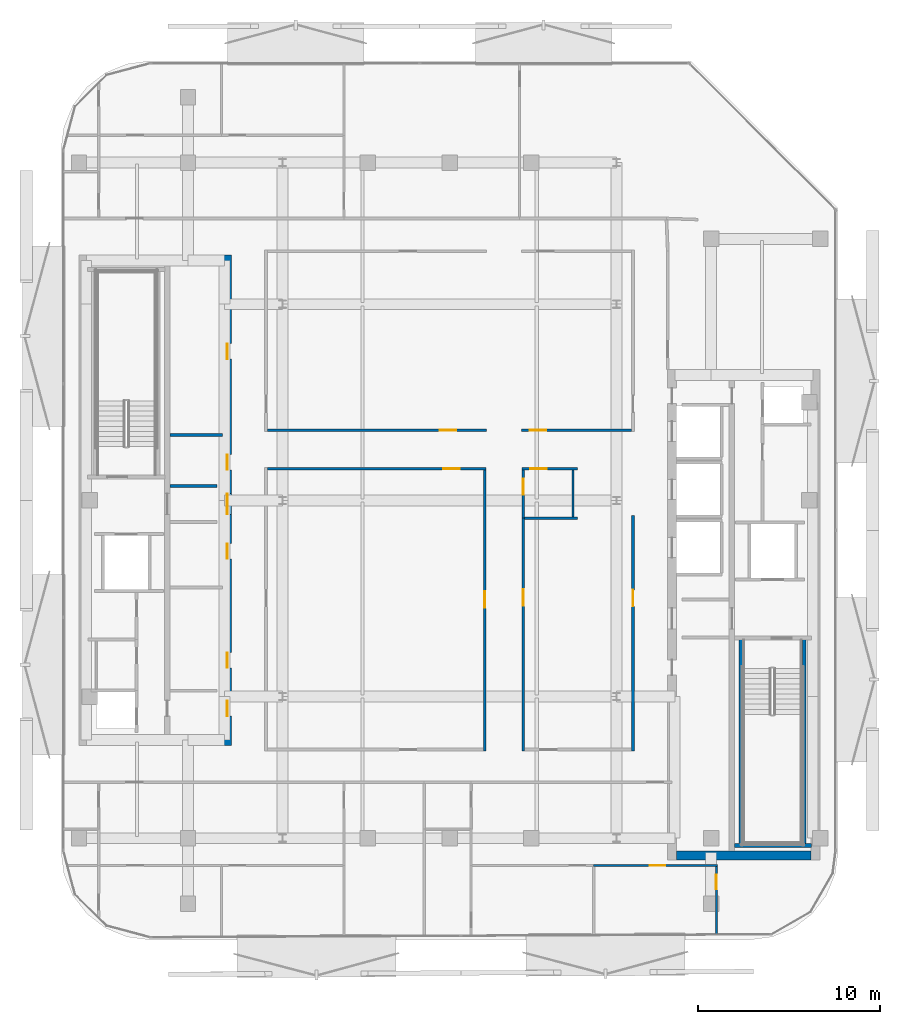
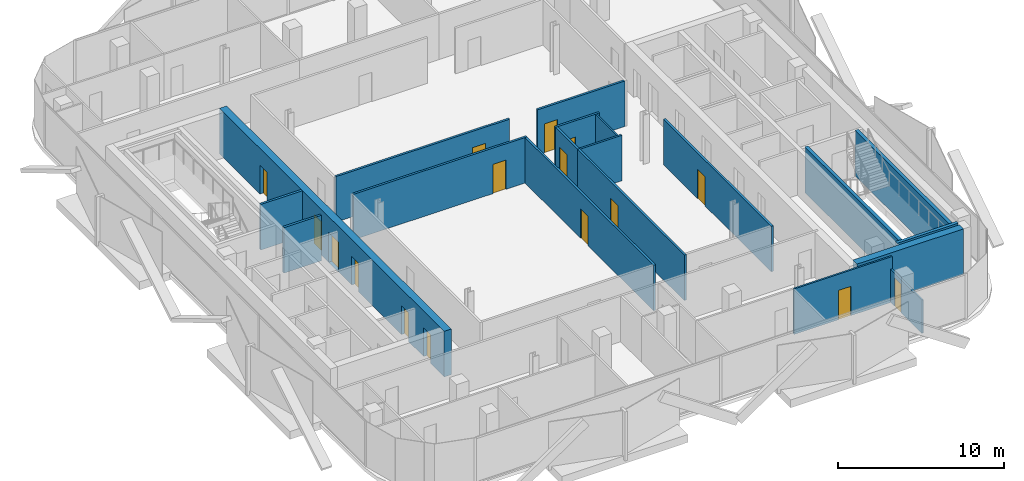
# One storey, part 4 of 15: 19 walls, 16 doors, 16 openings.
"""IFC4 building model written with IfcOpenShell, lengths in metres."""

from ifc_helpers import new_model, si_unit, direction, frame, frame_2d, origin, place, context, subcontext, project, spatial, rectangle, extrude, material, layer, layer_set, type_object, element, fill, save


model = new_model("IFC4")

# Units and contexts
model_context = context("Model", 3, precision=1e-05, world=origin(), true_north=direction((0.0, 1.0)))
body_context = subcontext(model_context, "Body", "Model", "MODEL_VIEW")
ifc_project = project(units=[si_unit("LENGTHUNIT", "METRE"), si_unit("AREAUNIT", "SQUARE_METRE"), si_unit("VOLUMEUNIT", "CUBIC_METRE"), si_unit("PLANEANGLEUNIT", "RADIAN"), si_unit("MASSUNIT", "GRAM", prefix="KILO")], contexts=[model_context])

# Site, building, storey
site_placement = place(None, origin())
site = spatial("IfcSite", under=ifc_project, at=site_placement, CompositionType="ELEMENT")
building_placement = place(site_placement, origin())
building = spatial("IfcBuilding", under=site, at=building_placement, Name="Khairoan Windgate Tower", CompositionType="ELEMENT")
storey_placement = place(building_placement, frame((0.0, 0.0, 265.60009765625)))
storey = spatial("IfcBuildingStorey", under=building, at=storey_placement, Name="L63", CompositionType="ELEMENT", Elevation=265.60009765625)

# Walls
ifc_material_1 = material(Name="Moisture-Resistant Gypsum Partition", Category="gypsum")
ifc_layer_1 = layer(ifc_material_1, 0.10009765625, Name="Moisture-Resistant Gypsum Partition")
ifc_layer_set_1 = layer_set([ifc_layer_1], Name="Moisture-Resistant Gypsum Partition")
wall_type_1 = type_object("IfcWallType", Name="Bathroom Wet-Area Partition Wall", PredefinedType="PARTITIONING", material=ifc_layer_set_1)
wall_1_placement = place(storey_placement, frame((6.800048828125, 1.659912109375, 0.0), z_axis=(0.0, 0.0, 1.0), x_axis=(0.0, -1.0, 0.0)))
element("IfcWall", 1, at=wall_1_placement, inside=storey, type_object=wall_type_1, Name="L63 Wet Room Side Wall 067", PredefinedType="PARTITIONING", context=body_context, shape_type="SweptSolid", body=[
    extrude(rectangle(XDim=2.56982421875, YDim=0.10009765625, at=frame_2d((1.284912109375, 0.0))), origin(), (0.0, 0.0, 1.0), 3.33984375),
])
ifc_material_2 = material(Name="Concrete C40/50", Category="concrete")
ifc_layer_2 = layer(ifc_material_2, 0.159912109375, Name="Concrete C40/50")
ifc_layer_set_2 = layer_set([ifc_layer_2], Name="Concrete C40/50")
wall_type_2 = type_object("IfcWallType", Name="Core and Hoistway Enclosure Wall", PredefinedType="STANDARD", material=ifc_layer_set_2)
wall_2_placement = place(storey_placement, frame((-15.39990234375, 0.800048828125, 0.0), z_axis=(0.0, 0.0, 1.0), x_axis=(1.0, 0.0, 0.0)))
element("IfcWall", 2, at=wall_2_placement, inside=storey, type_object=wall_type_2, Name="L63 Core Shaft Wall SW-WV1-L63", PredefinedType="STANDARD", context=body_context, shape_type="SweptSolid", body=[
    extrude(rectangle(XDim=2.599853515625, YDim=0.159912109375, at=frame_2d((1.2998046875, 0.0))), origin(), (0.0, 0.0, 1.0), 3.33984375),
])
ifc_material_3 = material(Name="Acoustic Fire-Rated Gypsum Partition", Category="gypsum")
ifc_layer_3 = layer(ifc_material_3, 0.139892578125, Name="Acoustic Fire-Rated Gypsum Partition")
ifc_layer_set_3 = layer_set([ifc_layer_3], Name="Acoustic Fire-Rated Gypsum Partition")
wall_type_3 = type_object("IfcWallType", Name="Inter-Tenancy Compartment Wall", PredefinedType="PARTITIONING", material=ifc_layer_set_3)
wall_3_placement = place(storey_placement, frame((4.139892578125, -0.97998046875, 0.0), z_axis=(0.0, 0.0, 1.0), x_axis=(1.0, 0.0, 0.0)))
element("IfcWall", 3, at=wall_3_placement, inside=storey, type_object=wall_type_3, Name="L63 Interior Partition 065", PredefinedType="PARTITIONING", context=body_context, shape_type="SweptSolid", body=[
    extrude(rectangle(XDim=2.900146484375, YDim=0.139892578125, at=frame_2d((1.4501953125, 0.0))), origin(), (0.0, 0.0, 1.0), 3.33984375),
])

# Wall, opening, door
ifc_material_4 = material(Name="Gypsum Stud Partition", Category="gypsum")
ifc_layer_4 = layer(ifc_material_4, 0.1201171875, Name="Gypsum Stud Partition")
ifc_layer_set_4 = layer_set([ifc_layer_4], Name="Gypsum Stud Partition")
wall_type_4 = type_object("IfcWallType", Name="Internal Room Partition Wall", PredefinedType="PARTITIONING", material=ifc_layer_set_4)
wall_4_placement = place(storey_placement, frame((7.93994140625, -20.10009765625, 0.0), z_axis=(0.0, 0.0, 1.0), x_axis=(1.0, 0.0, 0.0)))
wall_4 = element("IfcWall", 4, at=wall_4_placement, inside=storey, type_object=wall_type_4, Name="L63 Interior Partition 062", PredefinedType="PARTITIONING", context=body_context, shape_type="SweptSolid", body=[
    extrude(rectangle(XDim=6.81005859375, YDim=0.1201171875, at=frame_2d((3.405029296875, 0.0))), origin(), (0.0, 0.0, 1.0), 3.33984375),
])
opening_1_placement = place(wall_4_placement, frame((3.07568359375, 0.0, 0.0)))
opening_1 = element("IfcOpeningElement", 5, at=opening_1_placement, cuts=wall_4, Name="Opening ID-RM", PredefinedType="OPENING", context=body_context, shape_type="SweptSolid", body=[
    extrude(rectangle(XDim=0.860107421875, YDim=2.14990234375, at=frame_2d((0.43017578125, 1.074951171875))), frame((0.0, 0.070068359375, 0.0), z_axis=(0.0, -1.0, 0.0), x_axis=(1.0, 0.0, 0.0)), (0.0, 0.0, 1.0), 0.14013671875),
])
ifc_material_5 = material(Name="Teak Veneer Timber Leaf", Category="wood")
door_type_1 = type_object("IfcDoorType", Name="Internal Bedroom and Office Door ID-RM 860x2150", OperationType="NOTDEFINED", PredefinedType="DOOR", material=ifc_material_5)
door_1_placement = place(opening_1_placement, origin())
door_1 = element("IfcDoor", 6, at=door_1_placement, inside=storey, type_object=door_type_1, Name="L63 L63-47-L63-50 Door", OperationType="SINGLE_SWING_RIGHT", OverallHeight=2.14990234375, OverallWidth=0.860107421875, PredefinedType="DOOR", context=body_context, shape_type="SweptSolid", body=[
    extrude(rectangle(XDim=0.860107421875, YDim=2.14990234375, at=frame_2d((0.43017578125, 1.074951171875))), frame((0.0, 0.02490234375, 0.0), z_axis=(0.0, -1.0, 0.0), x_axis=(1.0, 0.0, 0.0)), (0.0, 0.0, 1.0), 0.050048828125),
])
fill(opening_1, door_1)

wall_5_placement = place(storey_placement, frame((14.68994140625, -23.906005859375, 0.0), z_axis=(0.0, 0.0, 1.0), x_axis=(0.0, 1.0, 0.0)))
wall_5 = element("IfcWall", 7, at=wall_5_placement, inside=storey, type_object=wall_type_4, Name="L63 Interior Partition 063", PredefinedType="PARTITIONING", context=body_context, shape_type="SweptSolid", body=[
    extrude(rectangle(XDim=3.74609375, YDim=0.1201171875, at=frame_2d((1.873046875, 0.0))), origin(), (0.0, 0.0, 1.0), 2.43994140625),
])
opening_2_placement = place(wall_5_placement, frame((2.486083984375, 0.0, 0.0)))
opening_2 = element("IfcOpeningElement", 8, at=opening_2_placement, cuts=wall_5, Name="Opening ID-BTH", PredefinedType="OPENING", context=body_context, shape_type="SweptSolid", body=[
    extrude(rectangle(XDim=0.800048828125, YDim=2.10009765625, at=frame_2d((0.39990234375, 1.050048828125))), frame((0.0, 0.070068359375, 0.0), z_axis=(0.0, -1.0, 0.0), x_axis=(1.0, 0.0, 0.0)), (0.0, 0.0, 1.0), 0.14013671875),
])
ifc_material_6 = material(Name="Teak Veneer Timber Leaf", Category="wood")
door_type_2 = type_object("IfcDoorType", Name="Internal Bathroom Door ID-BTH 800x2100", OperationType="NOTDEFINED", PredefinedType="DOOR", material=ifc_material_6)
door_2_placement = place(opening_2_placement, origin())
door_2 = element("IfcDoor", 9, at=door_2_placement, inside=storey, type_object=door_type_2, Name="L63 L63-48-L63-50 Door", OperationType="SINGLE_SWING_LEFT", OverallHeight=2.10009765625, OverallWidth=0.800048828125, PredefinedType="DOOR", context=body_context, shape_type="SweptSolid", body=[
    extrude(rectangle(XDim=0.800048828125, YDim=2.10009765625, at=frame_2d((0.39990234375, 1.050048828125))), frame((0.0, 0.02490234375, 0.0), z_axis=(0.0, -1.0, 0.0), x_axis=(1.0, 0.0, 0.0)), (0.0, 0.0, 1.0), 0.050048828125),
])
fill(opening_2, door_2)

# Wall
ifc_material_7 = material(Name="Concrete C40/50", Category="concrete")
ifc_layer_5 = layer(ifc_material_7, 0.159912109375, Name="Concrete C40/50")
ifc_layer_set_5 = layer_set([ifc_layer_5], Name="Concrete C40/50")
wall_type_5 = type_object("IfcWallType", Name="Plant and Refuge Compartment Wall", PredefinedType="PARTITIONING", material=ifc_layer_set_5)
wall_6_placement = place(storey_placement, frame((-15.39990234375, 3.60009765625, 0.0), z_axis=(0.0, 0.0, 1.0), x_axis=(1.0, 0.0, 0.0)))
element("IfcWall", 10, at=wall_6_placement, inside=storey, type_object=wall_type_5, Name="L63 Interior Partition 006", PredefinedType="PARTITIONING", context=body_context, shape_type="SweptSolid", body=[
    extrude(rectangle(XDim=2.89990234375, YDim=0.159912109375, at=frame_2d((1.449951171875, 0.0))), origin(), (0.0, 0.0, 1.0), 3.33984375),
])

# Wall, opening, door
ifc_material_8 = material(Name="Acoustic Fire-Rated Gypsum Partition", Category="gypsum")
ifc_layer_6 = layer(ifc_material_8, 0.14990234375, Name="Acoustic Fire-Rated Gypsum Partition")
ifc_layer_set_6 = layer_set([ifc_layer_6], Name="Acoustic Fire-Rated Gypsum Partition")
wall_type_6 = type_object("IfcWallType", Name="Rated Corridor Partition Wall", PredefinedType="PARTITIONING", material=ifc_layer_set_6)
wall_7_placement = place(storey_placement, frame((10.10009765625, -13.794921875, 0.0), z_axis=(0.0, 0.0, 1.0), x_axis=(0.0, 1.0, 0.0)))
wall_7 = element("IfcWall", 11, at=wall_7_placement, inside=storey, type_object=wall_type_6, Name="L63 Interior Partition 015", PredefinedType="PARTITIONING", context=body_context, shape_type="SweptSolid", body=[
    extrude(rectangle(XDim=12.974853515625, YDim=0.14990234375, at=frame_2d((6.4873046875, 0.0))), origin(), (0.0, 0.0, 1.0), 3.33984375),
])
opening_3_placement = place(wall_7_placement, frame((7.96435546875, 0.0, 0.0)))
opening_3 = element("IfcOpeningElement", 12, at=opening_3_placement, cuts=wall_7, Name="Opening FD-ENT", PredefinedType="OPENING", context=body_context, shape_type="SweptSolid", body=[
    extrude(rectangle(XDim=0.89990234375, YDim=2.14990234375, at=frame_2d((0.449951171875, 1.074951171875))), frame((0.0, 0.0849609375, 0.0), z_axis=(0.0, -1.0, 0.0), x_axis=(1.0, 0.0, 0.0)), (0.0, 0.0, 1.0), 0.169921875),
])
ifc_material_9 = material(Name="Timber Fire-Rated Core", Category="wood")
door_type_3 = type_object("IfcDoorType", Name="Unit and Office Fire Entrance Door FD-ENT 900x2150", OperationType="NOTDEFINED", PredefinedType="DOOR", material=ifc_material_9)
door_3_placement = place(opening_3_placement, origin())
door_3 = element("IfcDoor", 13, at=door_3_placement, inside=storey, type_object=door_type_3, Name="L63 L63-27-L63-56 Door", OperationType="SINGLE_SWING_LEFT", OverallHeight=2.14990234375, OverallWidth=0.89990234375, PredefinedType="DOOR", context=body_context, shape_type="SweptSolid", body=[
    extrude(rectangle(XDim=0.89990234375, YDim=2.14990234375, at=frame_2d((0.449951171875, 1.074951171875))), frame((0.0, 0.02490234375, 0.0), z_axis=(0.0, -1.0, 0.0), x_axis=(1.0, 0.0, 0.0)), (0.0, 0.0, 1.0), 0.050048828125),
])
fill(opening_3, door_3)

wall_8_placement = place(storey_placement, frame((-10.02490234375, 3.864990234375, 0.0), z_axis=(0.0, 0.0, 1.0), x_axis=(1.0, 0.0, 0.0)))
wall_8 = element("IfcWall", 14, at=wall_8_placement, inside=storey, type_object=wall_type_6, Name="L63 Interior Partition 016", PredefinedType="PARTITIONING", context=body_context, shape_type="SweptSolid", body=[
    extrude(rectangle(XDim=12.054931640625, YDim=0.14990234375, at=frame_2d((6.02734375, 0.0))), origin(), (0.0, 0.0, 1.0), 3.33984375),
])
opening_4_placement = place(wall_8_placement, frame((9.490966796875, 0.0, 0.0)))
opening_4 = element("IfcOpeningElement", 15, at=opening_4_placement, cuts=wall_8, Name="Opening FD-ENT", PredefinedType="OPENING", context=body_context, shape_type="SweptSolid", body=[
    extrude(rectangle(XDim=0.89990234375, YDim=2.14990234375, at=frame_2d((0.449951171875, 1.074951171875))), frame((0.0, 0.0849609375, 0.0), z_axis=(0.0, -1.0, 0.0), x_axis=(1.0, 0.0, 0.0)), (0.0, 0.0, 1.0), 0.169921875),
])
door_4_placement = place(opening_4_placement, origin())
door_4 = element("IfcDoor", 16, at=door_4_placement, inside=storey, type_object=door_type_3, Name="L63 L63-28-L63-52 Door", OperationType="SINGLE_SWING_RIGHT", OverallHeight=2.14990234375, OverallWidth=0.89990234375, PredefinedType="DOOR", context=body_context, shape_type="SweptSolid", body=[
    extrude(rectangle(XDim=0.89990234375, YDim=2.14990234375, at=frame_2d((0.449951171875, 1.074951171875))), frame((0.0, 0.02490234375, 0.0), z_axis=(0.0, -1.0, 0.0), x_axis=(1.0, 0.0, 0.0)), (0.0, 0.0, 1.0), 0.050048828125),
])
fill(opening_4, door_4)

wall_9_placement = place(storey_placement, frame((-10.02490234375, 1.735107421875, 0.0), z_axis=(0.0, 0.0, 1.0), x_axis=(1.0, 0.0, 0.0)))
wall_9 = element("IfcWall", 17, at=wall_9_placement, inside=storey, type_object=wall_type_6, Name="L63 Interior Partition 017", PredefinedType="PARTITIONING", context=body_context, shape_type="SweptSolid", body=[
    extrude(rectangle(XDim=12.034912109375, YDim=0.14990234375, at=frame_2d((6.017578125, 0.0))), origin(), (0.0, 0.0, 1.0), 3.33984375),
])
opening_5_placement = place(wall_9_placement, frame((9.673583984375, 0.0, 0.0)))
opening_5 = element("IfcOpeningElement", 18, at=opening_5_placement, cuts=wall_9, Name="Opening FD-ENT", PredefinedType="OPENING", context=body_context, shape_type="SweptSolid", body=[
    extrude(rectangle(XDim=0.89990234375, YDim=2.14990234375, at=frame_2d((0.449951171875, 1.074951171875))), frame((0.0, 0.0849609375, 0.0), z_axis=(0.0, -1.0, 0.0), x_axis=(1.0, 0.0, 0.0)), (0.0, 0.0, 1.0), 0.169921875),
])
door_5_placement = place(opening_5_placement, origin())
door_5 = element("IfcDoor", 19, at=door_5_placement, inside=storey, type_object=door_type_3, Name="L63 L63-28-L63-53 Door", OperationType="SINGLE_SWING_LEFT", OverallHeight=2.14990234375, OverallWidth=0.89990234375, PredefinedType="DOOR", context=body_context, shape_type="SweptSolid", body=[
    extrude(rectangle(XDim=0.89990234375, YDim=2.14990234375, at=frame_2d((0.449951171875, 1.074951171875))), frame((0.0, 0.02490234375, 0.0), z_axis=(0.0, -1.0, 0.0), x_axis=(1.0, 0.0, 0.0)), (0.0, 0.0, 1.0), 0.050048828125),
])
fill(opening_5, door_5)

wall_10_placement = place(storey_placement, frame((3.969970703125, 3.864990234375, 0.0), z_axis=(0.0, 0.0, 1.0), x_axis=(1.0, 0.0, 0.0)))
wall_10 = element("IfcWall", 20, at=wall_10_placement, inside=storey, type_object=wall_type_6, Name="L63 Interior Partition 018", PredefinedType="PARTITIONING", context=body_context, shape_type="SweptSolid", body=[
    extrude(rectangle(XDim=6.054931640625, YDim=0.14990234375, at=frame_2d((3.02734375, 0.0))), origin(), (0.0, 0.0, 1.0), 3.33984375),
])
opening_6_placement = place(wall_10_placement, frame((0.4599609375, 0.0, 0.0)))
opening_6 = element("IfcOpeningElement", 21, at=opening_6_placement, cuts=wall_10, Name="Opening FD-ENT", PredefinedType="OPENING", context=body_context, shape_type="SweptSolid", body=[
    extrude(rectangle(XDim=0.89990234375, YDim=2.14990234375, at=frame_2d((0.449951171875, 1.074951171875))), frame((0.0, 0.0849609375, 0.0), z_axis=(0.0, -1.0, 0.0), x_axis=(1.0, 0.0, 0.0)), (0.0, 0.0, 1.0), 0.169921875),
])
door_6_placement = place(opening_6_placement, origin())
door_6 = element("IfcDoor", 22, at=door_6_placement, inside=storey, type_object=door_type_3, Name="L63 L63-28-L63-54 Door", OperationType="SINGLE_SWING_RIGHT", OverallHeight=2.14990234375, OverallWidth=0.89990234375, PredefinedType="DOOR", context=body_context, shape_type="SweptSolid", body=[
    extrude(rectangle(XDim=0.89990234375, YDim=2.14990234375, at=frame_2d((0.449951171875, 1.074951171875))), frame((0.0, 0.02490234375, 0.0), z_axis=(0.0, -1.0, 0.0), x_axis=(1.0, 0.0, 0.0)), (0.0, 0.0, 1.0), 0.050048828125),
])
fill(opening_6, door_6)

wall_11_placement = place(storey_placement, frame((3.989990234375, 1.735107421875, 0.0), z_axis=(0.0, 0.0, 1.0), x_axis=(1.0, 0.0, 0.0)))
wall_11 = element("IfcWall", 23, at=wall_11_placement, inside=storey, type_object=wall_type_6, Name="L63 Interior Partition 019", PredefinedType="PARTITIONING", context=body_context, shape_type="SweptSolid", body=[
    extrude(rectangle(XDim=3.050048828125, YDim=0.14990234375, at=frame_2d((1.52490234375, 0.0))), origin(), (0.0, 0.0, 1.0), 3.33984375),
])
opening_7_placement = place(wall_11_placement, frame((0.4599609375, 0.0, 0.0)))
opening_7 = element("IfcOpeningElement", 24, at=opening_7_placement, cuts=wall_11, Name="Opening FD-ENT", PredefinedType="OPENING", context=body_context, shape_type="SweptSolid", body=[
    extrude(rectangle(XDim=0.89990234375, YDim=2.14990234375, at=frame_2d((0.449951171875, 1.074951171875))), frame((0.0, 0.0849609375, 0.0), z_axis=(0.0, -1.0, 0.0), x_axis=(1.0, 0.0, 0.0)), (0.0, 0.0, 1.0), 0.169921875),
])
door_7_placement = place(opening_7_placement, origin())
door_7 = element("IfcDoor", 25, at=door_7_placement, inside=storey, type_object=door_type_3, Name="L63 L63-28-L63-55 Door", OperationType="SINGLE_SWING_LEFT", OverallHeight=2.14990234375, OverallWidth=0.89990234375, PredefinedType="DOOR", context=body_context, shape_type="SweptSolid", body=[
    extrude(rectangle(XDim=0.89990234375, YDim=2.14990234375, at=frame_2d((0.449951171875, 1.074951171875))), frame((0.0, 0.02490234375, 0.0), z_axis=(0.0, -1.0, 0.0), x_axis=(1.0, 0.0, 0.0)), (0.0, 0.0, 1.0), 0.050048828125),
])
fill(opening_7, door_7)

wall_12_placement = place(storey_placement, frame((1.93505859375, -13.794921875, 0.0), z_axis=(0.0, 0.0, 1.0), x_axis=(0.0, 1.0, 0.0)))
wall_12 = element("IfcWall", 26, at=wall_12_placement, inside=storey, type_object=wall_type_6, Name="L63 Interior Partition 020", PredefinedType="PARTITIONING", context=body_context, shape_type="SweptSolid", body=[
    extrude(rectangle(XDim=15.454833984375, YDim=0.14990234375, at=frame_2d((7.7275390625, 0.0))), origin(), (0.0, 0.0, 1.0), 3.33984375),
])
opening_8_placement = place(wall_12_placement, frame((7.87890625, 0.0, 0.0)))
opening_8 = element("IfcOpeningElement", 27, at=opening_8_placement, cuts=wall_12, Name="Opening FD-ENT", PredefinedType="OPENING", context=body_context, shape_type="SweptSolid", body=[
    extrude(rectangle(XDim=0.89990234375, YDim=2.14990234375, at=frame_2d((0.449951171875, 1.074951171875))), frame((0.0, 0.0849609375, 0.0), z_axis=(0.0, -1.0, 0.0), x_axis=(1.0, 0.0, 0.0)), (0.0, 0.0, 1.0), 0.169921875),
])
door_8_placement = place(opening_8_placement, origin())
door_8 = element("IfcDoor", 28, at=door_8_placement, inside=storey, type_object=door_type_3, Name="L63 L63-29-L63-53 Door", OperationType="SINGLE_SWING_RIGHT", OverallHeight=2.14990234375, OverallWidth=0.89990234375, PredefinedType="DOOR", context=body_context, shape_type="SweptSolid", body=[
    extrude(rectangle(XDim=0.89990234375, YDim=2.14990234375, at=frame_2d((0.449951171875, 1.074951171875))), frame((0.0, 0.02490234375, 0.0), z_axis=(0.0, -1.0, 0.0), x_axis=(1.0, 0.0, 0.0)), (0.0, 0.0, 1.0), 0.050048828125),
])
fill(opening_8, door_8)

wall_13_placement = place(storey_placement, frame((4.06494140625, -0.97998046875, 0.0), z_axis=(0.0, 0.0, 1.0), x_axis=(0.0, 1.0, 0.0)))
wall_13 = element("IfcWall", 29, at=wall_13_placement, inside=storey, type_object=wall_type_6, Name="L63 Interior Partition 021", PredefinedType="PARTITIONING", context=body_context, shape_type="SweptSolid", body=[
    extrude(rectangle(XDim=2.639892578125, YDim=0.14990234375, at=frame_2d((1.31982421875, 0.0))), origin(), (0.0, 0.0, 1.0), 3.33984375),
])
opening_9_placement = place(wall_13_placement, frame((1.280029296875, 0.0, 0.0)))
opening_9 = element("IfcOpeningElement", 30, at=opening_9_placement, cuts=wall_13, Name="Opening FD-ENT", PredefinedType="OPENING", context=body_context, shape_type="SweptSolid", body=[
    extrude(rectangle(XDim=0.89990234375, YDim=2.14990234375, at=frame_2d((0.449951171875, 1.074951171875))), frame((0.0, 0.0849609375, 0.0), z_axis=(0.0, -1.0, 0.0), x_axis=(1.0, 0.0, 0.0)), (0.0, 0.0, 1.0), 0.169921875),
])
door_9_placement = place(opening_9_placement, origin())
door_9 = element("IfcDoor", 31, at=door_9_placement, inside=storey, type_object=door_type_3, Name="L63 L63-29-L63-55 Door", OperationType="SINGLE_SWING_LEFT", OverallHeight=2.14990234375, OverallWidth=0.89990234375, PredefinedType="DOOR", context=body_context, shape_type="SweptSolid", body=[
    extrude(rectangle(XDim=0.89990234375, YDim=2.14990234375, at=frame_2d((0.449951171875, 1.074951171875))), frame((0.0, 0.02490234375, 0.0), z_axis=(0.0, -1.0, 0.0), x_axis=(1.0, 0.0, 0.0)), (0.0, 0.0, 1.0), 0.050048828125),
])
fill(opening_9, door_9)

wall_14_placement = place(storey_placement, frame((4.06494140625, -13.794921875, 0.0), z_axis=(0.0, 0.0, 1.0), x_axis=(0.0, 1.0, 0.0)))
wall_14 = element("IfcWall", 32, at=wall_14_placement, inside=storey, type_object=wall_type_6, Name="L63 Interior Partition 022", PredefinedType="PARTITIONING", context=body_context, shape_type="SweptSolid", body=[
    extrude(rectangle(XDim=12.81494140625, YDim=0.14990234375, at=frame_2d((6.407470703125, 0.0))), origin(), (0.0, 0.0, 1.0), 3.33984375),
])
opening_10_placement = place(wall_14_placement, frame((7.99365234375, 0.0, 0.0)))
opening_10 = element("IfcOpeningElement", 33, at=opening_10_placement, cuts=wall_14, Name="Opening FD-ENT", PredefinedType="OPENING", context=body_context, shape_type="SweptSolid", body=[
    extrude(rectangle(XDim=0.89990234375, YDim=2.14990234375, at=frame_2d((0.449951171875, 1.074951171875))), frame((0.0, 0.0849609375, 0.0), z_axis=(0.0, -1.0, 0.0), x_axis=(1.0, 0.0, 0.0)), (0.0, 0.0, 1.0), 0.169921875),
])
door_10_placement = place(opening_10_placement, origin())
door_10 = element("IfcDoor", 34, at=door_10_placement, inside=storey, type_object=door_type_3, Name="L63 L63-29-L63-56 Door", OperationType="SINGLE_SWING_RIGHT", OverallHeight=2.14990234375, OverallWidth=0.89990234375, PredefinedType="DOOR", context=body_context, shape_type="SweptSolid", body=[
    extrude(rectangle(XDim=0.89990234375, YDim=2.14990234375, at=frame_2d((0.449951171875, 1.074951171875))), frame((0.0, 0.02490234375, 0.0), z_axis=(0.0, -1.0, 0.0), x_axis=(1.0, 0.0, 0.0)), (0.0, 0.0, 1.0), 0.050048828125),
])
fill(opening_10, door_10)

# Wall
ifc_material_10 = material(Name="Concrete C50/60", Category="concrete")
ifc_layer_7 = layer(ifc_material_10, 0.5, Name="Concrete C50/60")
ifc_layer_set_7 = layer_set([ifc_layer_7], Name="Concrete C50/60")
wall_type_7 = type_object("IfcWallType", Name="Shear Wall CW-E3 500mm", PredefinedType="SHEAR", material=ifc_layer_set_7)
wall_15_placement = place(storey_placement, frame((12.5, -19.550048828125, 0.0), z_axis=(0.0, 0.0, 1.0), x_axis=(1.0, 0.0, 0.0)))
element("IfcWall", 35, at=wall_15_placement, inside=storey, type_object=wall_type_7, Name="E Core South Shear Wall L63", PredefinedType="SHEAR", context=body_context, shape_type="SweptSolid", body=[
    extrude(rectangle(XDim=7.39990234375, YDim=0.5, at=frame_2d((3.699951171875, 0.0))), origin(), (0.0, 0.0, 1.0), 3.33984375),
])

# Wall, openings, doors
ifc_material_11 = material(Name="Concrete C50/60", Category="concrete")
ifc_layer_8 = layer(ifc_material_11, 0.5, Name="Concrete C50/60")
ifc_layer_set_8 = layer_set([ifc_layer_8], Name="Concrete C50/60")
wall_type_8 = type_object("IfcWallType", Name="Shear Wall CW-W3 500mm", PredefinedType="SHEAR", material=ifc_layer_set_8)
wall_16_placement = place(storey_placement, frame((-12.25, -13.5, 0.0), z_axis=(0.0, 0.0, 1.0), x_axis=(0.0, 1.0, 0.0)))
wall_16 = element("IfcWall", 36, at=wall_16_placement, inside=storey, type_object=wall_type_8, Name="W Core East Shear Wall L63", PredefinedType="SHEAR", context=body_context, shape_type="SweptSolid", body=[
    extrude(rectangle(XDim=27.0, YDim=0.5, at=frame_2d((13.5, 0.0))), origin(), (0.0, 0.0, 1.0), 3.33984375),
])
opening_11_placement = place(wall_16_placement, frame((15.175048828125, 0.0, 0.0)))
opening_11 = element("IfcOpeningElement", 37, at=opening_11_placement, cuts=wall_16, Name="Opening FD-SRV", PredefinedType="OPENING", context=body_context, shape_type="SweptSolid", body=[
    extrude(rectangle(XDim=0.85009765625, YDim=2.10009765625, at=frame_2d((0.425048828125, 1.050048828125))), frame((0.0, 0.260009765625, 0.0), z_axis=(0.0, -1.0, 0.0), x_axis=(1.0, 0.0, 0.0)), (0.0, 0.0, 1.0), 0.52001953125),
])
opening_12_placement = place(wall_16_placement, frame((21.27490234375, 0.0, 0.0)))
opening_12 = element("IfcOpeningElement", 38, at=opening_12_placement, cuts=wall_16, Name="Opening FD-SRV", PredefinedType="OPENING", context=body_context, shape_type="SweptSolid", body=[
    extrude(rectangle(XDim=0.85009765625, YDim=2.10009765625, at=frame_2d((0.425048828125, 1.050048828125))), frame((0.0, 0.260009765625, 0.0), z_axis=(0.0, -1.0, 0.0), x_axis=(1.0, 0.0, 0.0)), (0.0, 0.0, 1.0), 0.52001953125),
])
opening_13_placement = place(wall_16_placement, frame((4.27490234375, 0.0, 0.0)))
opening_13 = element("IfcOpeningElement", 39, at=opening_13_placement, cuts=wall_16, Name="Opening FD-SRV", PredefinedType="OPENING", context=body_context, shape_type="SweptSolid", body=[
    extrude(rectangle(XDim=0.85009765625, YDim=2.10009765625, at=frame_2d((0.425048828125, 1.050048828125))), frame((0.0, 0.260009765625, 0.0), z_axis=(0.0, -1.0, 0.0), x_axis=(1.0, 0.0, 0.0)), (0.0, 0.0, 1.0), 0.52001953125),
])
opening_14_placement = place(wall_16_placement, frame((10.27490234375, 0.0, 0.0)))
opening_14 = element("IfcOpeningElement", 40, at=opening_14_placement, cuts=wall_16, Name="Opening FD-SRV", PredefinedType="OPENING", context=body_context, shape_type="SweptSolid", body=[
    extrude(rectangle(XDim=0.85009765625, YDim=2.10009765625, at=frame_2d((0.425048828125, 1.050048828125))), frame((0.0, 0.260009765625, 0.0), z_axis=(0.0, -1.0, 0.0), x_axis=(1.0, 0.0, 0.0)), (0.0, 0.0, 1.0), 0.52001953125),
])
opening_15_placement = place(wall_16_placement, frame((12.72509765625, 0.0, 0.0)))
opening_15 = element("IfcOpeningElement", 41, at=opening_15_placement, cuts=wall_16, Name="Opening FD-FFL", PredefinedType="OPENING", context=body_context, shape_type="SweptSolid", body=[
    extrude(rectangle(XDim=1.14990234375, YDim=2.199951171875, at=frame_2d((0.574951171875, 1.10009765625))), frame((0.0, 0.260009765625, 0.0), z_axis=(0.0, -1.0, 0.0), x_axis=(1.0, 0.0, 0.0)), (0.0, 0.0, 1.0), 0.52001953125),
])
opening_16_placement = place(wall_16_placement, frame((1.625, 0.0, 0.0)))
opening_16 = element("IfcOpeningElement", 42, at=opening_16_placement, cuts=wall_16, Name="Opening FD-SRV", PredefinedType="OPENING", context=body_context, shape_type="SweptSolid", body=[
    extrude(rectangle(XDim=0.85009765625, YDim=2.10009765625, at=frame_2d((0.425048828125, 1.050048828125))), frame((0.0, 0.260009765625, 0.0), z_axis=(0.0, -1.0, 0.0), x_axis=(1.0, 0.0, 0.0)), (0.0, 0.0, 1.0), 0.52001953125),
])
ifc_material_12 = material(Name="Steel S355", Category="steel")
door_type_4 = type_object("IfcDoorType", Name="Core Service and Riser Fire Door FD-SRV 850x2100", OperationType="NOTDEFINED", PredefinedType="DOOR", material=ifc_material_12)
door_11_placement = place(opening_11_placement, origin())
door_11 = element("IfcDoor", 43, at=door_11_placement, inside=storey, type_object=door_type_4, Name="L63 Upper Core Room Door B1-1", OperationType="SINGLE_SWING_LEFT", OverallHeight=2.10009765625, OverallWidth=0.85009765625, PredefinedType="DOOR", context=body_context, shape_type="SweptSolid", body=[
    extrude(rectangle(XDim=0.85009765625, YDim=2.10009765625, at=frame_2d((0.425048828125, 1.050048828125))), frame((0.0, 0.02490234375, 0.0), z_axis=(0.0, -1.0, 0.0), x_axis=(1.0, 0.0, 0.0)), (0.0, 0.0, 1.0), 0.050048828125),
])
fill(opening_11, door_11)
door_12_placement = place(opening_12_placement, origin())
door_12 = element("IfcDoor", 44, at=door_12_placement, inside=storey, type_object=door_type_4, Name="L63 Upper Core Room Door B1-2", OperationType="SINGLE_SWING_RIGHT", OverallHeight=2.10009765625, OverallWidth=0.85009765625, PredefinedType="DOOR", context=body_context, shape_type="SweptSolid", body=[
    extrude(rectangle(XDim=0.85009765625, YDim=2.10009765625, at=frame_2d((0.425048828125, 1.050048828125))), frame((0.0, 0.02490234375, 0.0), z_axis=(0.0, -1.0, 0.0), x_axis=(1.0, 0.0, 0.0)), (0.0, 0.0, 1.0), 0.050048828125),
])
fill(opening_12, door_12)
door_13_placement = place(opening_13_placement, origin())
door_13 = element("IfcDoor", 45, at=door_13_placement, inside=storey, type_object=door_type_4, Name="L63 Upper Core Room Door B2-1", OperationType="SINGLE_SWING_LEFT", OverallHeight=2.10009765625, OverallWidth=0.85009765625, PredefinedType="DOOR", context=body_context, shape_type="SweptSolid", body=[
    extrude(rectangle(XDim=0.85009765625, YDim=2.10009765625, at=frame_2d((0.425048828125, 1.050048828125))), frame((0.0, 0.02490234375, 0.0), z_axis=(0.0, -1.0, 0.0), x_axis=(1.0, 0.0, 0.0)), (0.0, 0.0, 1.0), 0.050048828125),
])
fill(opening_13, door_13)
door_14_placement = place(opening_14_placement, origin())
door_14 = element("IfcDoor", 46, at=door_14_placement, inside=storey, type_object=door_type_4, Name="L63 Upper Core Room Door B2-2", OperationType="SINGLE_SWING_RIGHT", OverallHeight=2.10009765625, OverallWidth=0.85009765625, PredefinedType="DOOR", context=body_context, shape_type="SweptSolid", body=[
    extrude(rectangle(XDim=0.85009765625, YDim=2.10009765625, at=frame_2d((0.425048828125, 1.050048828125))), frame((0.0, 0.02490234375, 0.0), z_axis=(0.0, -1.0, 0.0), x_axis=(1.0, 0.0, 0.0)), (0.0, 0.0, 1.0), 0.050048828125),
])
fill(opening_14, door_14)
door_15_placement = place(opening_16_placement, origin())
door_15 = element("IfcDoor", 47, at=door_15_placement, inside=storey, type_object=door_type_4, Name="L63 West Core Service Vestibule Outer Door", OperationType="SINGLE_SWING_RIGHT", OverallHeight=2.10009765625, OverallWidth=0.85009765625, PredefinedType="DOOR", context=body_context, shape_type="SweptSolid", body=[
    extrude(rectangle(XDim=0.85009765625, YDim=2.10009765625, at=frame_2d((0.425048828125, 1.050048828125))), frame((0.0, 0.02490234375, 0.0), z_axis=(0.0, -1.0, 0.0), x_axis=(1.0, 0.0, 0.0)), (0.0, 0.0, 1.0), 0.050048828125),
])
fill(opening_16, door_15)
ifc_material_13 = material(Name="Steel S355", Category="steel")
door_type_5 = type_object("IfcDoorType", Name="Firefighting Lobby Fire Door FD-FFL 1150x2200", OperationType="NOTDEFINED", PredefinedType="DOOR", material=ifc_material_13)
door_16_placement = place(opening_15_placement, origin())
door_16 = element("IfcDoor", 48, at=door_16_placement, inside=storey, type_object=door_type_5, Name="L63 West Core Vestibule Entry Door", OperationType="SINGLE_SWING_RIGHT", OverallHeight=2.199951171875, OverallWidth=1.14990234375, PredefinedType="DOOR", context=body_context, shape_type="SweptSolid", body=[
    extrude(rectangle(XDim=1.14990234375, YDim=2.199951171875, at=frame_2d((0.574951171875, 1.10009765625))), frame((0.0, 0.02490234375, 0.0), z_axis=(0.0, -1.0, 0.0), x_axis=(1.0, 0.0, 0.0)), (0.0, 0.0, 1.0), 0.050048828125),
])
fill(opening_15, door_16)

# Walls
ifc_material_14 = material(Name="Concrete C50/60", Category="concrete")
ifc_layer_9 = layer(ifc_material_14, 0.219970703125, Name="Concrete C50/60")
ifc_layer_set_9 = layer_set([ifc_layer_9], Name="Concrete C50/60")
wall_type_9 = type_object("IfcWallType", Name="Shear Wall SW-ST 220mm", PredefinedType="SHEAR", material=ifc_layer_set_9)
for number, where, z_axis, x_axis, name in (
    (49, (16.0400390625, -19.010009765625, 0.0), (0.0, 0.0, 1.0), (0.0, 1.0, 0.0), "L63 Stair ST1 West Bearing Wall"),
    (50, (19.530029296875, -19.010009765625, 0.0), (0.0, 0.0, 1.0), (0.0, 1.0, 0.0), "L63 Stair ST1 East Bearing Wall"),
):
    element("IfcWall", number, at=place(storey_placement, frame(where, z_axis=z_axis, x_axis=x_axis)), inside=storey, type_object=wall_type_9, Name=name, PredefinedType="SHEAR", context=body_context, shape_type="SweptSolid", body=[
        extrude(rectangle(XDim=11.419921875, YDim=0.219970703125, at=frame_2d((5.7099609375, 0.0))), origin(), (0.0, 0.0, 1.0), 3.33984375),
    ])
wall_17_placement = place(storey_placement, frame((15.679931640625, -19.010009765625, 0.0), z_axis=(0.0, 0.0, 1.0), x_axis=(1.0, 0.0, 0.0)))
element("IfcWall", 51, at=wall_17_placement, inside=storey, type_object=wall_type_9, Name="L63 Stair ST1 South Bearing Wall", PredefinedType="SHEAR", context=body_context, shape_type="SweptSolid", body=[
    extrude(rectangle(XDim=4.239990234375, YDim=0.219970703125, at=frame_2d((2.1201171875, 0.0))), origin(), (0.0, 0.0, 1.0), 3.33984375),
])

save(model, "model.ifc")
